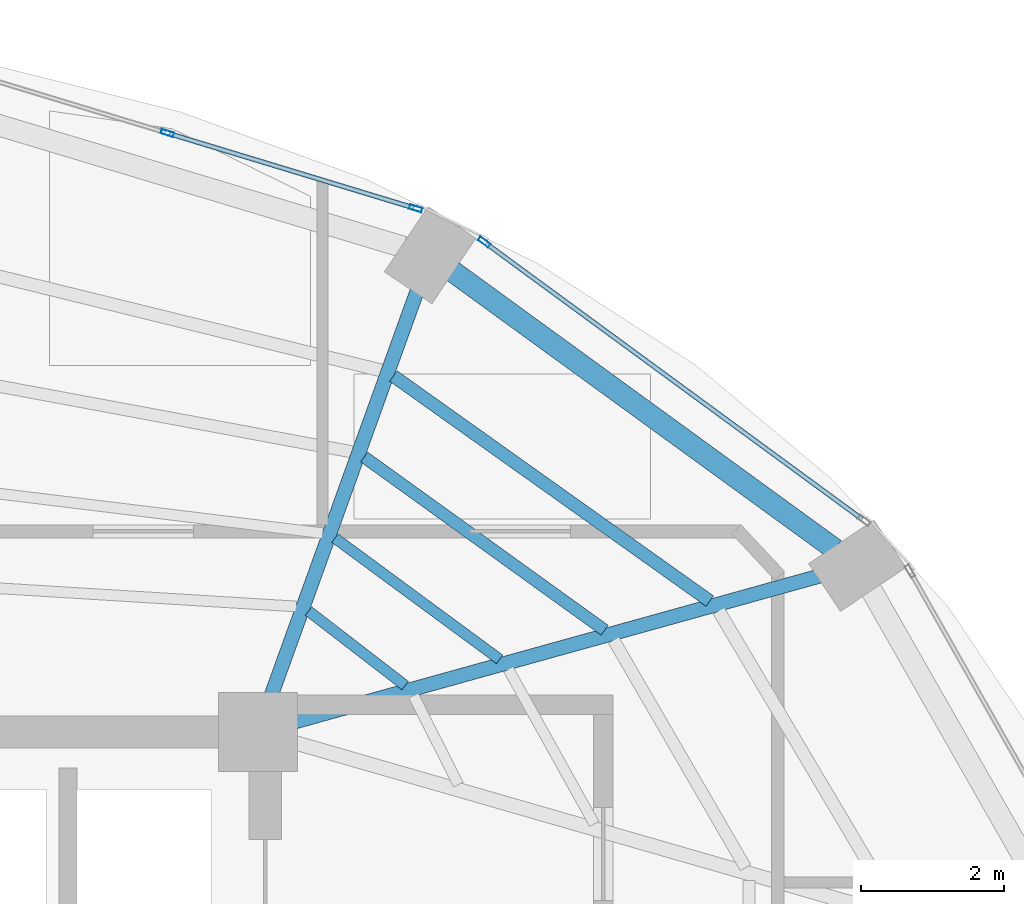
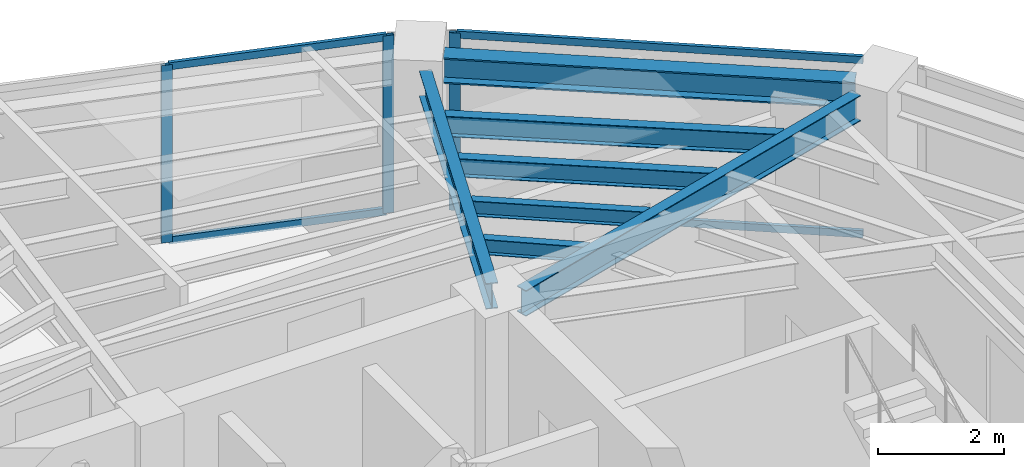
# One storey, part 4 of 13: 7 beams, 7 members, 2 elements without a shape of their own.
"""IFC4 building model written with IfcOpenShell, lengths in metres."""

from ifc_helpers import new_model, si_unit, direction, frame, origin, origin_2d, place, context, subcontext, project, spatial, hollow_rectangle, i_section, extrude, material, layer, layer_set, material_profile, profile_set, type_object, element, aggregate, save


model = new_model("IFC4")

# Units and contexts
model_context = context("Model", 3, precision=1e-05, world=origin(), true_north=direction((0.0, 1.0)))
body_context = subcontext(model_context, "Body", "Model", "MODEL_VIEW")
ifc_project = project(units=[si_unit("LENGTHUNIT", "METRE"), si_unit("AREAUNIT", "SQUARE_METRE"), si_unit("VOLUMEUNIT", "CUBIC_METRE"), si_unit("PLANEANGLEUNIT", "RADIAN"), si_unit("MASSUNIT", "GRAM", prefix="KILO")], contexts=[model_context])

# Site, building, storey
site_placement = place(None, origin())
site = spatial("IfcSite", under=ifc_project, at=site_placement, CompositionType="ELEMENT")
building_placement = place(site_placement, origin())
building = spatial("IfcBuilding", under=site, at=building_placement, Name="Lazwardi Medical Tower", CompositionType="ELEMENT")
storey_placement = place(building_placement, frame((0.0, 0.0, 276.912109375)))
storey = spatial("IfcBuildingStorey", under=building, at=storey_placement, Name="L72", CompositionType="ELEMENT", Elevation=276.912109375)

# Beams
ifc_material_1 = material(Name="Steel S355", Category="steel")
ifc_material_profile_1 = material_profile(ifc_material_1, i_section(OverallWidth=0.300048828125, OverallDepth=0.5, WebThickness=0.014404296875, FlangeThickness=0.028076171875, at=origin_2d()), Name="HEB 500")
ifc_profile_set_1 = profile_set([ifc_material_profile_1], Name="Steel S355")
beam_type_1 = type_object("IfcBeamType", Name="BM-RB-Z4", PredefinedType="BEAM", material=ifc_profile_set_1)
beam_1_placement = place(storey_placement, frame((53.644287109375, 38.15185546875, 3.197998046875), z_axis=(-0.808889916254, 0.587960120571, 0.0), x_axis=(-0.587960120571, -0.808889916254, 0.0)))
element("IfcBeam", 1, at=beam_1_placement, inside=storey, type_object=beam_type_1, Name="Ring beam RB-05 B06 L72", PredefinedType="BEAM", context=body_context, shape_type="SweptSolid", body=[
    extrude(i_section(OverallWidth=0.300048828125, OverallDepth=0.5, WebThickness=0.014404296875, FlangeThickness=0.028076171875, at=origin_2d()), origin(), (0.0, 0.0, 1.0), 6.587158203125),
])
ifc_material_profile_2 = material_profile(ifc_material_1, i_section(OverallWidth=0.199951171875, OverallDepth=0.5, WebThickness=0.01025390625, FlangeThickness=0.01611328125, at=origin_2d()), Name="IPE 500")
ifc_profile_set_2 = profile_set([ifc_material_profile_2], Name="Steel S355")
beam_type_2 = type_object("IfcBeamType", Name="BM-RG-W3", PredefinedType="BEAM", material=ifc_profile_set_2)
beam_2_placement = place(storey_placement, frame((53.444091796875, 37.779296875, 3.197998046875), z_axis=(-0.963504112843, -0.267693527254, 0.0), x_axis=(0.267693527254, -0.963504112843, 0.0)))
element("IfcBeam", 2, at=beam_2_placement, inside=storey, type_object=beam_type_2, Name="Radial girder RG-04 R06 L72", PredefinedType="BEAM", context=body_context, shape_type="SweptSolid", body=[
    extrude(i_section(OverallWidth=0.199951171875, OverallDepth=0.5, WebThickness=0.01025390625, FlangeThickness=0.01611328125, at=origin_2d()), origin(), (0.0, 0.0, 1.0), 7.606201171875),
])
beam_3_placement = place(storey_placement, frame((47.81884765625, 41.750732421875, 3.197998046875), z_axis=(-0.339348661818, -0.940660664492, 0.0), x_axis=(0.940660664492, -0.339348661818, 0.0)))
element("IfcBeam", 3, at=beam_3_placement, inside=storey, type_object=beam_type_2, Name="Radial girder RG-04 R07 L72", PredefinedType="BEAM", context=body_context, shape_type="SweptSolid", body=[
    extrude(i_section(OverallWidth=0.199951171875, OverallDepth=0.5, WebThickness=0.01025390625, FlangeThickness=0.01611328125, at=origin_2d()), origin(), (0.0, 0.0, 1.0), 6.003662109375),
])
ifc_material_profile_3 = material_profile(ifc_material_1, i_section(OverallWidth=0.179931640625, OverallDepth=0.39990234375, WebThickness=0.008544921875, FlangeThickness=0.013427734375, at=origin_2d()), Name="IPE 400")
ifc_profile_set_3 = profile_set([ifc_material_profile_3], Name="Steel S355")
beam_type_3 = type_object("IfcBeamType", Name="BM-SJ-01", PredefinedType="JOIST", material=ifc_profile_set_3)
beam_4_placement = place(storey_placement, frame((51.901123046875, 37.42724609375, 3.247802734375), z_axis=(-0.814846949116, 0.579676159176, 0.0), x_axis=(-0.579676159176, -0.814846949116, 0.0)))
element("IfcBeam", 4, at=beam_4_placement, inside=storey, type_object=beam_type_3, Name="Secondary joist SJ-01 R1 B06 L72", PredefinedType="JOIST", context=body_context, shape_type="SweptSolid", body=[
    extrude(i_section(OverallWidth=0.179931640625, OverallDepth=0.39990234375, WebThickness=0.008544921875, FlangeThickness=0.013427734375, at=origin_2d()), origin(), (0.0, 0.0, 1.0), 5.4150390625),
])
ifc_material_profile_4 = material_profile(ifc_material_1, i_section(OverallWidth=0.169921875, OverallDepth=0.360107421875, WebThickness=0.008056640625, FlangeThickness=0.0126953125, at=origin_2d()), Name="IPE 360")
ifc_profile_set_4 = profile_set([ifc_material_profile_4], Name="Steel S355")
beam_type_4 = type_object("IfcBeamType", Name="BM-SJ-02", PredefinedType="JOIST", material=ifc_profile_set_4)
beam_5_placement = place(storey_placement, frame((50.435546875, 37.0205078125, 3.267822265625), z_axis=(-0.811472726235, 0.58439029302, 0.0), x_axis=(-0.58439029302, -0.811472726235, 0.0)))
element("IfcBeam", 5, at=beam_5_placement, inside=storey, type_object=beam_type_4, Name="Secondary joist SJ-02 R2 B06 L72", PredefinedType="JOIST", context=body_context, shape_type="SweptSolid", body=[
    extrude(i_section(OverallWidth=0.169921875, OverallDepth=0.360107421875, WebThickness=0.008056640625, FlangeThickness=0.0126953125, at=origin_2d()), origin(), (0.0, 0.0, 1.0), 4.1337890625),
])
ifc_material_profile_5 = material_profile(ifc_material_1, i_section(OverallWidth=0.14990234375, OverallDepth=0.300048828125, WebThickness=0.007080078125, FlangeThickness=0.0107421875, at=origin_2d()), Name="IPE 300")
ifc_profile_set_5 = profile_set([ifc_material_profile_5], Name="Steel S355")
beam_type_5 = type_object("IfcBeamType", Name="BM-SJ-03", PredefinedType="JOIST", material=ifc_profile_set_5)
beam_6_placement = place(storey_placement, frame((48.970458984375, 36.614013671875, 3.2978515625), z_axis=(-0.805236450776, 0.592953841662, 0.0), x_axis=(-0.592953841662, -0.805236450776, 0.0)))
element("IfcBeam", 6, at=beam_6_placement, inside=storey, type_object=beam_type_5, Name="Secondary joist SJ-03 R3 B06 L72", PredefinedType="JOIST", context=body_context, shape_type="SweptSolid", body=[
    extrude(i_section(OverallWidth=0.14990234375, OverallDepth=0.300048828125, WebThickness=0.007080078125, FlangeThickness=0.0107421875, at=origin_2d()), origin(), (0.0, 0.0, 1.0), 2.853271484375),
])
beam_7_placement = place(storey_placement, frame((47.652587890625, 36.2490234375, 3.2978515625), z_axis=(-0.792010197197, 0.610507860339, 0.0), x_axis=(-0.610507860339, -0.792010197197, 0.0)))
element("IfcBeam", 7, at=beam_7_placement, inside=storey, type_object=beam_type_5, Name="Secondary joist SJ-03 R4 B06 L72", PredefinedType="JOIST", context=body_context, shape_type="SweptSolid", body=[
    extrude(i_section(OverallWidth=0.14990234375, OverallDepth=0.300048828125, WebThickness=0.007080078125, FlangeThickness=0.0107421875, at=origin_2d()), origin(), (0.0, 0.0, 1.0), 1.70166015625),
])

# Curtain wall, member
ifc_material_2 = material(Name="Anodised bronze aluminium and solar control glazing", Category="aluminium")
ifc_layer = layer(ifc_material_2, 0.18994140625)
ifc_layer_set = layer_set([ifc_layer], Name="Anodised bronze aluminium and solar control glazing")
curtain_wall_type = type_object("IfcCurtainWallType", Name="CW-SYS-04", PredefinedType="NOTDEFINED", material=ifc_layer_set)
curtain_wall_1_placement = place(storey_placement, origin())
curtain_wall_1 = element("IfcCurtainWall", 8, at=curtain_wall_1_placement, inside=storey, type_object=curtain_wall_type, Name="L72 Unitised bronze curtain wall CW-04", PredefinedType="NOTDEFINED")
ifc_material_3 = material(Name="Anodised bronze aluminium", Category="aluminium")
ifc_material_profile_6 = material_profile(ifc_material_3, hollow_rectangle(XDim=0.06494140625, YDim=0.179931640625, WallThickness=0.00390625, at=origin_2d()), Name="ALU-MULLION 180x65x4")
ifc_profile_set_6 = profile_set([ifc_material_profile_6], Name="Anodised bronze aluminium")
member_type_1 = type_object("IfcMemberType", Name="CW-MUL-03", PredefinedType="MULLION", material=ifc_profile_set_6)
member_1_placement = place(storey_placement, frame((48.75537109375, 42.434814453125, 0.0), z_axis=(0.0, 0.0, 1.0), x_axis=(-0.591268230971, -0.806474971121, 0.0)))
member_1 = element("IfcMember", 9, at=member_1_placement, type_object=member_type_1, Name="CW-04 mullion 2", PredefinedType="MULLION", context=body_context, shape_type="SweptSolid", body=[
    extrude(hollow_rectangle(XDim=0.06494140625, YDim=0.179931640625, WallThickness=0.00390625, at=origin_2d()), origin(), (0.0, 0.0, 1.0), 3.447998046875),
])

# Curtain wall, members
curtain_wall_2_placement = place(storey_placement, origin())
curtain_wall_2 = element("IfcCurtainWall", 10, at=curtain_wall_2_placement, inside=storey, type_object=curtain_wall_type, Name="L72 Unitised bronze curtain wall CW-04", PredefinedType="NOTDEFINED")
member_2_placement = place(storey_placement, frame((47.7998046875, 42.903564453125, 0.0), z_axis=(0.0, 0.0, 1.0), x_axis=(-0.290581889515, -0.956850126972, 0.0)))
member_2 = element("IfcMember", 11, at=member_2_placement, type_object=member_type_1, Name="CW-04 mullion 1", PredefinedType="MULLION", context=body_context, shape_type="SweptSolid", body=[
    extrude(hollow_rectangle(XDim=0.06494140625, YDim=0.179931640625, WallThickness=0.00390625, at=origin_2d()), origin(), (0.0, 0.0, 1.0), 3.447998046875),
])
member_3_placement = place(storey_placement, frame((44.33642578125, 43.955322265625, 0.0), z_axis=(0.0, 0.0, 1.0), x_axis=(-0.290581889515, -0.956850126972, 0.0)))
member_3 = element("IfcMember", 12, at=member_3_placement, type_object=member_type_1, Name="CW-04 mullion 2", PredefinedType="MULLION", context=body_context, shape_type="SweptSolid", body=[
    extrude(hollow_rectangle(XDim=0.06494140625, YDim=0.179931640625, WallThickness=0.00390625, at=origin_2d()), origin(), (0.0, 0.0, 1.0), 3.447998046875),
])

# Member
ifc_material_profile_7 = material_profile(ifc_material_3, hollow_rectangle(XDim=0.06494140625, YDim=0.139892578125, WallThickness=0.00341796875, at=origin_2d()), Name="ALU-TRANSOM 140x65x3.5")
ifc_profile_set_7 = profile_set([ifc_material_profile_7], Name="Anodised bronze aluminium")
member_type_2 = type_object("IfcMemberType", Name="CW-TRN-03", PredefinedType="USERDEFINED", material=ifc_profile_set_7)
member_4_placement = place(storey_placement, frame((54.02587890625, 38.57080078125, 0.032470703125), z_axis=(-0.806471831148, 0.591272513791, 0.0), x_axis=(-0.591272513791, -0.806471831148, 0.0)))
member_4 = element("IfcMember", 13, at=member_4_placement, type_object=member_type_2, Name="CW-04 transom 1.1", ObjectType="TRANSOM", PredefinedType="USERDEFINED", context=body_context, shape_type="SweptSolid", body=[
    extrude(hollow_rectangle(XDim=0.06494140625, YDim=0.139892578125, WallThickness=0.00341796875, at=origin_2d()), origin(), (0.0, 0.0, 1.0), 6.5029296875),
])

member_5_placement = place(storey_placement, frame((54.02587890625, 38.57080078125, 3.415283203125), z_axis=(-0.806471831148, 0.591272513791, 0.0), x_axis=(-0.591272513791, -0.806471831148, 0.0)))
member_5 = element("IfcMember", 14, at=member_5_placement, type_object=member_type_2, Name="CW-04 transom 1.2", ObjectType="TRANSOM", PredefinedType="USERDEFINED", context=body_context, shape_type="SweptSolid", body=[
    extrude(hollow_rectangle(XDim=0.06494140625, YDim=0.139892578125, WallThickness=0.00341796875, at=origin_2d()), origin(), (0.0, 0.0, 1.0), 6.5029296875),
])

aggregate(curtain_wall_1, [member_1, member_4, member_5])

member_6_placement = place(storey_placement, frame((47.7685546875, 42.9130859375, 0.032470703125), z_axis=(-0.956862505902, 0.290541124109, 0.0), x_axis=(-0.290541124109, -0.956862505902, 0.0)))
member_6 = element("IfcMember", 15, at=member_6_placement, type_object=member_type_2, Name="CW-04 transom 1.1", ObjectType="TRANSOM", PredefinedType="USERDEFINED", context=body_context, shape_type="SweptSolid", body=[
    extrude(hollow_rectangle(XDim=0.06494140625, YDim=0.139892578125, WallThickness=0.00341796875, at=origin_2d()), origin(), (0.0, 0.0, 1.0), 3.554443359375),
])

member_7_placement = place(storey_placement, frame((47.7685546875, 42.9130859375, 3.415283203125), z_axis=(-0.956862505902, 0.290541124109, 0.0), x_axis=(-0.290541124109, -0.956862505902, 0.0)))
member_7 = element("IfcMember", 16, at=member_7_placement, type_object=member_type_2, Name="CW-04 transom 1.2", ObjectType="TRANSOM", PredefinedType="USERDEFINED", context=body_context, shape_type="SweptSolid", body=[
    extrude(hollow_rectangle(XDim=0.06494140625, YDim=0.139892578125, WallThickness=0.00341796875, at=origin_2d()), origin(), (0.0, 0.0, 1.0), 3.554443359375),
])

aggregate(curtain_wall_2, [member_2, member_3, member_6, member_7])

save(model, "model.ifc")
